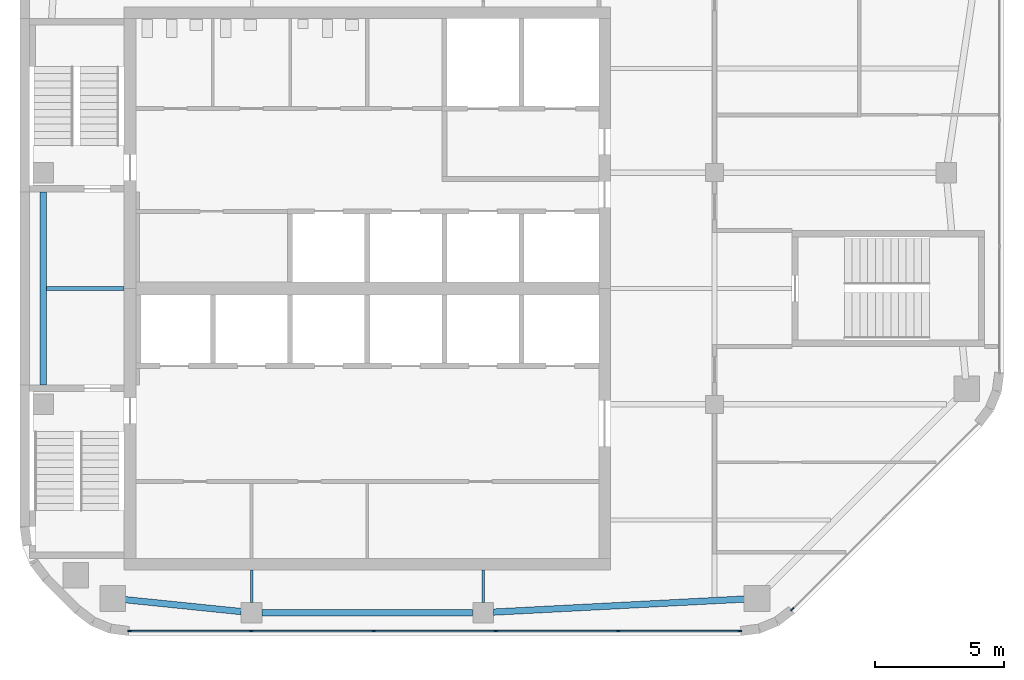
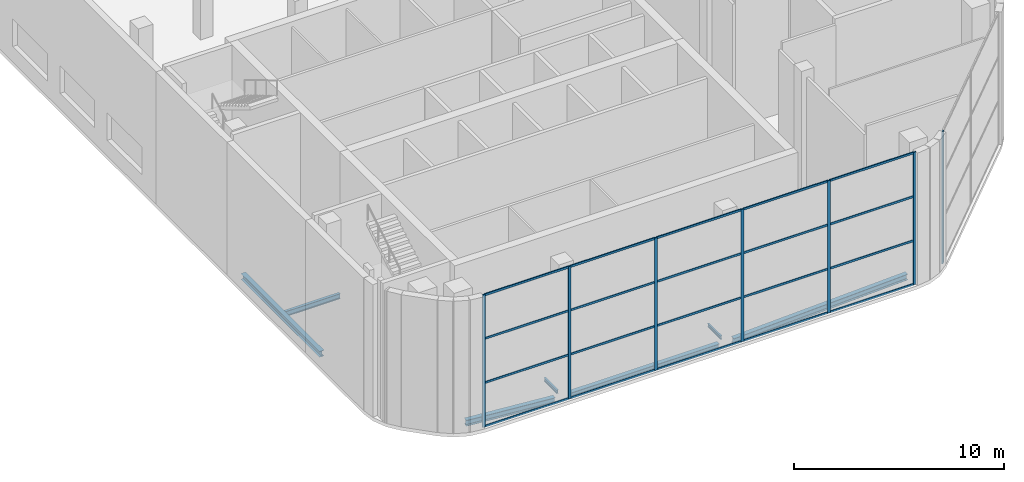
# One storey, part 2 of 12: 27 members, 7 beams, 2 elements without a shape of their own.
"""IFC4 building model written with IfcOpenShell, lengths in metres."""

from ifc_helpers import new_model, si_unit, direction, frame, origin, origin_2d, place, context, subcontext, project, spatial, rectangle, i_section, extrude, material, material_profile, profile_set, type_object, element, aggregate, save


model = new_model("IFC4")

# Units and contexts
model_context = context("Model", 3, precision=1e-05, world=origin(), true_north=direction((0.0, 1.0)))
body_context = subcontext(model_context, "Body", "Model", "MODEL_VIEW")
ifc_project = project(units=[si_unit("LENGTHUNIT", "METRE"), si_unit("AREAUNIT", "SQUARE_METRE"), si_unit("VOLUMEUNIT", "CUBIC_METRE"), si_unit("PLANEANGLEUNIT", "RADIAN"), si_unit("MASSUNIT", "GRAM", prefix="KILO")], contexts=[model_context])

# Site, building, storey
site_placement = place(None, origin())
site = spatial("IfcSite", under=ifc_project, at=site_placement, CompositionType="ELEMENT")
building_placement = place(site_placement, origin())
building = spatial("IfcBuilding", under=site, at=building_placement, Name="Cinnabar Reach Civic Tower", CompositionType="ELEMENT")
storey_placement = place(building_placement, frame((0.0, 0.0, 283.0)))
storey = spatial("IfcBuildingStorey", under=building, at=storey_placement, Name="L68", CompositionType="ELEMENT", Elevation=283.0)

# Beams
ifc_material_1 = material(Name="Steel Q355B", Category="steel")
ifc_material_profile_1 = material_profile(ifc_material_1, i_section(OverallWidth=0.25, OverallDepth=0.34, WebThickness=0.009, FlangeThickness=0.014, FilletRadius=0.013, at=origin_2d()), Name="HM340x250x9x14")
ifc_profile_set_1 = profile_set([ifc_material_profile_1], Name="Steel Q355B")
beam_type_1 = type_object("IfcBeamType", Name="HM340x250x9x14 beam R 180", PredefinedType="BEAM", material=ifc_profile_set_1)
beam_1_placement = place(storey_placement, frame((3.9839, 19.414, -0.37), z_axis=(0.994791084875, -0.101934770579, 0.0), x_axis=(0.101934770579, 0.994791084875, 0.0)))
element("IfcBeam", 1, at=beam_1_placement, inside=storey, type_object=beam_type_1, Name="Edge beam T1 L68 1", PredefinedType="BEAM", context=body_context, shape_type="SweptSolid", body=[
    extrude(i_section(OverallWidth=0.25, OverallDepth=0.34, WebThickness=0.009, FlangeThickness=0.014, FilletRadius=0.013, at=origin_2d()), origin(), (0.0, 0.0, 1.0), 4.6383),
])
beam_2_placement = place(storey_placement, frame((9.402, 18.9, -0.37), z_axis=(1.0, 0.0, 0.0), x_axis=(0.0, 1.0, 0.0)))
element("IfcBeam", 2, at=beam_2_placement, inside=storey, type_object=beam_type_1, Name="Edge beam T1 L68 2", PredefinedType="BEAM", context=body_context, shape_type="SweptSolid", body=[
    extrude(i_section(OverallWidth=0.25, OverallDepth=0.34, WebThickness=0.009, FlangeThickness=0.014, FilletRadius=0.013, at=origin_2d()), origin(), (0.0, 0.0, 1.0), 8.196),
])
beam_3_placement = place(storey_placement, frame((18.402, 18.9209, -0.37), z_axis=(0.998653533726, 0.051876001934, 0.0), x_axis=(-0.051876001934, 0.998653533726, 0.0)))
element("IfcBeam", 3, at=beam_3_placement, inside=storey, type_object=beam_type_1, Name="Edge beam T1 L68 3", PredefinedType="BEAM", context=body_context, shape_type="SweptSolid", body=[
    extrude(i_section(OverallWidth=0.25, OverallDepth=0.34, WebThickness=0.009, FlangeThickness=0.014, FilletRadius=0.013, at=origin_2d()), origin(), (0.0, 0.0, 1.0), 9.8774),
])
beam_4_placement = place(storey_placement, frame((0.9, 35.248, -0.37), z_axis=(0.0, -1.0, 0.0), x_axis=(1.0, 0.0, 0.0)))
element("IfcBeam", 4, at=beam_4_placement, inside=storey, type_object=beam_type_1, Name="Edge beam T1 L68 18", PredefinedType="BEAM", context=body_context, shape_type="SweptSolid", body=[
    extrude(i_section(OverallWidth=0.25, OverallDepth=0.34, WebThickness=0.009, FlangeThickness=0.014, FilletRadius=0.013, at=origin_2d()), origin(), (0.0, 0.0, 1.0), 7.496),
])
ifc_material_profile_2 = material_profile(ifc_material_1, i_section(OverallWidth=0.099, OverallDepth=0.198, WebThickness=0.0045, FlangeThickness=0.007, FilletRadius=0.013, at=origin_2d()), Name="HN200x100x5.5x8")
ifc_profile_set_2 = profile_set([ifc_material_profile_2], Name="Steel Q355B")
beam_type_2 = type_object("IfcBeamType", Name="HN200x100x5.5x8 beam R 180", PredefinedType="BEAM", material=ifc_profile_set_2)
for number, where, z_axis, x_axis, name in (
    (5, (9.0, 19.302, -0.299), (0.0, 1.0, 0.0), (-1.0, 0.0, 0.0), "Girder T1 L68 1"),
    (6, (18.0, 19.302, -0.299), (0.0, 1.0, 0.0), (-1.0, 0.0, 0.0), "Girder T1 L68 5"),
):
    element("IfcBeam", number, at=place(storey_placement, frame(where, z_axis=z_axis, x_axis=x_axis)), inside=storey, type_object=beam_type_2, Name=name, PredefinedType="BEAM", context=body_context, shape_type="SweptSolid", body=[
        extrude(i_section(OverallWidth=0.099, OverallDepth=0.198, WebThickness=0.0045, FlangeThickness=0.007, FilletRadius=0.013, at=origin_2d()), origin(), (0.0, 0.0, 1.0), 1.246),
    ])
ifc_material_profile_3 = material_profile(ifc_material_1, i_section(OverallWidth=0.15, OverallDepth=0.3, WebThickness=0.0065, FlangeThickness=0.009, FilletRadius=0.013, at=origin_2d()), Name="HN300x150x6.5x9")
ifc_profile_set_3 = profile_set([ifc_material_profile_3], Name="Steel Q355B")
beam_type_3 = type_object("IfcBeamType", Name="HN300x150x6.5x9 beam R 180", PredefinedType="BEAM", material=ifc_profile_set_3)
beam_5_placement = place(storey_placement, frame((1.027, 31.5, -0.35), z_axis=(1.0, 0.0, 0.0), x_axis=(0.0, 1.0, 0.0)))
element("IfcBeam", 7, at=beam_5_placement, inside=storey, type_object=beam_type_3, Name="Secondary beam T1 L68 3", PredefinedType="BEAM", context=body_context, shape_type="SweptSolid", body=[
    extrude(i_section(OverallWidth=0.15, OverallDepth=0.3, WebThickness=0.0065, FlangeThickness=0.009, FilletRadius=0.013, at=origin_2d()), origin(), (0.0, 0.0, 1.0), 3.021),
])

# Curtain wall, members
ifc_material_2 = material(Name="Aluminium and clear double glazing", Category="aluminium")
curtain_wall_type = type_object("IfcCurtainWallType", Name="Observation deck curtain wall", PredefinedType="NOTDEFINED", material=ifc_material_2)
curtain_wall_1_placement = place(storey_placement, origin())
curtain_wall_1 = element("IfcCurtainWall", 8, at=curtain_wall_1_placement, inside=storey, type_object=curtain_wall_type, Name="Observation deck 1", PredefinedType="NOTDEFINED")
ifc_material_3 = material(Name="Aluminium", Category="aluminium")
ifc_material_profile_4 = material_profile(ifc_material_3, rectangle(XDim=0.06, YDim=0.16, at=origin_2d()), Name="Observation deck mullion")
ifc_profile_set_4 = profile_set([ifc_material_profile_4], Name="Aluminium")
member_type_1 = type_object("IfcMemberType", Name="Observation deck mullion", PredefinedType="MULLION", material=ifc_profile_set_4)
member_1_placement = place(storey_placement, frame((4.2726, 18.18, 0.0), z_axis=(0.0, 0.0, 1.0), x_axis=(0.0, 1.0, 0.0)))
member_1 = element("IfcMember", 9, at=member_1_placement, type_object=member_type_1, Name="CW-T1OBS-1 mullion 1", PredefinedType="MULLION", context=body_context, shape_type="SweptSolid", body=[
    extrude(rectangle(XDim=0.06, YDim=0.16, at=origin_2d()), origin(), (0.0, 0.0, 1.0), 7.7),
])
member_2_placement = place(storey_placement, frame((8.9956, 18.18, 0.0), z_axis=(0.0, 0.0, 1.0), x_axis=(0.0, 1.0, 0.0)))
member_2 = element("IfcMember", 10, at=member_2_placement, type_object=member_type_1, Name="CW-T1OBS-1 mullion 2", PredefinedType="MULLION", context=body_context, shape_type="SweptSolid", body=[
    extrude(rectangle(XDim=0.06, YDim=0.16, at=origin_2d()), origin(), (0.0, 0.0, 1.0), 7.7),
])
member_3_placement = place(storey_placement, frame((13.7485, 18.18, 0.0), z_axis=(0.0, 0.0, 1.0), x_axis=(0.0, 1.0, 0.0)))
member_3 = element("IfcMember", 11, at=member_3_placement, type_object=member_type_1, Name="CW-T1OBS-1 mullion 3", PredefinedType="MULLION", context=body_context, shape_type="SweptSolid", body=[
    extrude(rectangle(XDim=0.06, YDim=0.16, at=origin_2d()), origin(), (0.0, 0.0, 1.0), 7.7),
])
member_4_placement = place(storey_placement, frame((18.5015, 18.18, 0.0), z_axis=(0.0, 0.0, 1.0), x_axis=(0.0, 1.0, 0.0)))
member_4 = element("IfcMember", 12, at=member_4_placement, type_object=member_type_1, Name="CW-T1OBS-1 mullion 4", PredefinedType="MULLION", context=body_context, shape_type="SweptSolid", body=[
    extrude(rectangle(XDim=0.06, YDim=0.16, at=origin_2d()), origin(), (0.0, 0.0, 1.0), 7.7),
])
member_5_placement = place(storey_placement, frame((23.2544, 18.18, 0.0), z_axis=(0.0, 0.0, 1.0), x_axis=(0.0, 1.0, 0.0)))
member_5 = element("IfcMember", 13, at=member_5_placement, type_object=member_type_1, Name="CW-T1OBS-1 mullion 5", PredefinedType="MULLION", context=body_context, shape_type="SweptSolid", body=[
    extrude(rectangle(XDim=0.06, YDim=0.16, at=origin_2d()), origin(), (0.0, 0.0, 1.0), 7.7),
])
member_6_placement = place(storey_placement, frame((27.9774, 18.18, 0.0), z_axis=(0.0, 0.0, 1.0), x_axis=(0.0, 1.0, 0.0)))
member_6 = element("IfcMember", 14, at=member_6_placement, type_object=member_type_1, Name="CW-T1OBS-1 mullion 6", PredefinedType="MULLION", context=body_context, shape_type="SweptSolid", body=[
    extrude(rectangle(XDim=0.06, YDim=0.16, at=origin_2d()), origin(), (0.0, 0.0, 1.0), 7.7),
])

# Curtain wall, member
curtain_wall_2_placement = place(storey_placement, origin())
curtain_wall_2 = element("IfcCurtainWall", 15, at=curtain_wall_2_placement, inside=storey, type_object=curtain_wall_type, Name="Observation deck 2", PredefinedType="NOTDEFINED")
member_7_placement = place(storey_placement, frame((30.0226, 19.0272, 0.0), z_axis=(0.0, 0.0, 1.0), x_axis=(-0.707106781187, 0.707106781187, 0.0)))
member_7 = element("IfcMember", 16, at=member_7_placement, type_object=member_type_1, Name="CW-T1OBS-2 mullion 1", PredefinedType="MULLION", context=body_context, shape_type="SweptSolid", body=[
    extrude(rectangle(XDim=0.06, YDim=0.16, at=origin_2d()), origin(), (0.0, 0.0, 1.0), 7.7),
])
aggregate(curtain_wall_2, [member_7])

# Member
ifc_material_profile_5 = material_profile(ifc_material_3, rectangle(XDim=0.06, YDim=0.12, at=origin_2d()), Name="Observation deck transom")
ifc_profile_set_5 = profile_set([ifc_material_profile_5], Name="Aluminium")
member_type_2 = type_object("IfcMemberType", Name="Observation deck transom", PredefinedType="USERDEFINED", material=ifc_profile_set_5)
member_8_placement = place(storey_placement, frame((4.3026, 18.18, 0.03), z_axis=(1.0, 0.0, 0.0), x_axis=(0.0, 1.0, 0.0)))
member_8 = element("IfcMember", 17, at=member_8_placement, type_object=member_type_2, Name="CW-T1OBS-1 transom 1.1", ObjectType="TRANSOM", PredefinedType="USERDEFINED", context=body_context, shape_type="SweptSolid", body=[
    extrude(rectangle(XDim=0.06, YDim=0.12, at=origin_2d()), origin(), (0.0, 0.0, 1.0), 4.663),
])

member_9_placement = place(storey_placement, frame((4.3026, 18.18, 2.5667), z_axis=(1.0, 0.0, 0.0), x_axis=(0.0, 1.0, 0.0)))
member_9 = element("IfcMember", 18, at=member_9_placement, type_object=member_type_2, Name="CW-T1OBS-1 transom 1.2", ObjectType="TRANSOM", PredefinedType="USERDEFINED", context=body_context, shape_type="SweptSolid", body=[
    extrude(rectangle(XDim=0.06, YDim=0.12, at=origin_2d()), origin(), (0.0, 0.0, 1.0), 4.663),
])

member_10_placement = place(storey_placement, frame((4.3026, 18.18, 5.1333), z_axis=(1.0, 0.0, 0.0), x_axis=(0.0, 1.0, 0.0)))
member_10 = element("IfcMember", 19, at=member_10_placement, type_object=member_type_2, Name="CW-T1OBS-1 transom 1.3", ObjectType="TRANSOM", PredefinedType="USERDEFINED", context=body_context, shape_type="SweptSolid", body=[
    extrude(rectangle(XDim=0.06, YDim=0.12, at=origin_2d()), origin(), (0.0, 0.0, 1.0), 4.663),
])

member_11_placement = place(storey_placement, frame((4.3026, 18.18, 7.67), z_axis=(1.0, 0.0, 0.0), x_axis=(0.0, 1.0, 0.0)))
member_11 = element("IfcMember", 20, at=member_11_placement, type_object=member_type_2, Name="CW-T1OBS-1 transom 1.4", ObjectType="TRANSOM", PredefinedType="USERDEFINED", context=body_context, shape_type="SweptSolid", body=[
    extrude(rectangle(XDim=0.06, YDim=0.12, at=origin_2d()), origin(), (0.0, 0.0, 1.0), 4.663),
])

member_12_placement = place(storey_placement, frame((9.0256, 18.18, 0.03), z_axis=(1.0, 0.0, 0.0), x_axis=(0.0, 1.0, 0.0)))
member_12 = element("IfcMember", 21, at=member_12_placement, type_object=member_type_2, Name="CW-T1OBS-1 transom 2.1", ObjectType="TRANSOM", PredefinedType="USERDEFINED", context=body_context, shape_type="SweptSolid", body=[
    extrude(rectangle(XDim=0.06, YDim=0.12, at=origin_2d()), origin(), (0.0, 0.0, 1.0), 4.6929),
])

member_13_placement = place(storey_placement, frame((9.0256, 18.18, 2.5667), z_axis=(1.0, 0.0, 0.0), x_axis=(0.0, 1.0, 0.0)))
member_13 = element("IfcMember", 22, at=member_13_placement, type_object=member_type_2, Name="CW-T1OBS-1 transom 2.2", ObjectType="TRANSOM", PredefinedType="USERDEFINED", context=body_context, shape_type="SweptSolid", body=[
    extrude(rectangle(XDim=0.06, YDim=0.12, at=origin_2d()), origin(), (0.0, 0.0, 1.0), 4.6929),
])

member_14_placement = place(storey_placement, frame((9.0256, 18.18, 5.1333), z_axis=(1.0, 0.0, 0.0), x_axis=(0.0, 1.0, 0.0)))
member_14 = element("IfcMember", 23, at=member_14_placement, type_object=member_type_2, Name="CW-T1OBS-1 transom 2.3", ObjectType="TRANSOM", PredefinedType="USERDEFINED", context=body_context, shape_type="SweptSolid", body=[
    extrude(rectangle(XDim=0.06, YDim=0.12, at=origin_2d()), origin(), (0.0, 0.0, 1.0), 4.6929),
])

member_15_placement = place(storey_placement, frame((9.0256, 18.18, 7.67), z_axis=(1.0, 0.0, 0.0), x_axis=(0.0, 1.0, 0.0)))
member_15 = element("IfcMember", 24, at=member_15_placement, type_object=member_type_2, Name="CW-T1OBS-1 transom 2.4", ObjectType="TRANSOM", PredefinedType="USERDEFINED", context=body_context, shape_type="SweptSolid", body=[
    extrude(rectangle(XDim=0.06, YDim=0.12, at=origin_2d()), origin(), (0.0, 0.0, 1.0), 4.6929),
])

member_16_placement = place(storey_placement, frame((13.7785, 18.18, 0.03), z_axis=(1.0, 0.0, 0.0), x_axis=(0.0, 1.0, 0.0)))
member_16 = element("IfcMember", 25, at=member_16_placement, type_object=member_type_2, Name="CW-T1OBS-1 transom 3.1", ObjectType="TRANSOM", PredefinedType="USERDEFINED", context=body_context, shape_type="SweptSolid", body=[
    extrude(rectangle(XDim=0.06, YDim=0.12, at=origin_2d()), origin(), (0.0, 0.0, 1.0), 4.693),
])

member_17_placement = place(storey_placement, frame((13.7785, 18.18, 2.5667), z_axis=(1.0, 0.0, 0.0), x_axis=(0.0, 1.0, 0.0)))
member_17 = element("IfcMember", 26, at=member_17_placement, type_object=member_type_2, Name="CW-T1OBS-1 transom 3.2", ObjectType="TRANSOM", PredefinedType="USERDEFINED", context=body_context, shape_type="SweptSolid", body=[
    extrude(rectangle(XDim=0.06, YDim=0.12, at=origin_2d()), origin(), (0.0, 0.0, 1.0), 4.693),
])

member_18_placement = place(storey_placement, frame((13.7785, 18.18, 5.1333), z_axis=(1.0, 0.0, 0.0), x_axis=(0.0, 1.0, 0.0)))
member_18 = element("IfcMember", 27, at=member_18_placement, type_object=member_type_2, Name="CW-T1OBS-1 transom 3.3", ObjectType="TRANSOM", PredefinedType="USERDEFINED", context=body_context, shape_type="SweptSolid", body=[
    extrude(rectangle(XDim=0.06, YDim=0.12, at=origin_2d()), origin(), (0.0, 0.0, 1.0), 4.693),
])

member_19_placement = place(storey_placement, frame((13.7785, 18.18, 7.67), z_axis=(1.0, 0.0, 0.0), x_axis=(0.0, 1.0, 0.0)))
member_19 = element("IfcMember", 28, at=member_19_placement, type_object=member_type_2, Name="CW-T1OBS-1 transom 3.4", ObjectType="TRANSOM", PredefinedType="USERDEFINED", context=body_context, shape_type="SweptSolid", body=[
    extrude(rectangle(XDim=0.06, YDim=0.12, at=origin_2d()), origin(), (0.0, 0.0, 1.0), 4.693),
])

member_20_placement = place(storey_placement, frame((18.5315, 18.18, 0.03), z_axis=(1.0, 0.0, 0.0), x_axis=(0.0, 1.0, 0.0)))
member_20 = element("IfcMember", 29, at=member_20_placement, type_object=member_type_2, Name="CW-T1OBS-1 transom 4.1", ObjectType="TRANSOM", PredefinedType="USERDEFINED", context=body_context, shape_type="SweptSolid", body=[
    extrude(rectangle(XDim=0.06, YDim=0.12, at=origin_2d()), origin(), (0.0, 0.0, 1.0), 4.6929),
])

member_21_placement = place(storey_placement, frame((18.5315, 18.18, 2.5667), z_axis=(1.0, 0.0, 0.0), x_axis=(0.0, 1.0, 0.0)))
member_21 = element("IfcMember", 30, at=member_21_placement, type_object=member_type_2, Name="CW-T1OBS-1 transom 4.2", ObjectType="TRANSOM", PredefinedType="USERDEFINED", context=body_context, shape_type="SweptSolid", body=[
    extrude(rectangle(XDim=0.06, YDim=0.12, at=origin_2d()), origin(), (0.0, 0.0, 1.0), 4.6929),
])

member_22_placement = place(storey_placement, frame((18.5315, 18.18, 5.1333), z_axis=(1.0, 0.0, 0.0), x_axis=(0.0, 1.0, 0.0)))
member_22 = element("IfcMember", 31, at=member_22_placement, type_object=member_type_2, Name="CW-T1OBS-1 transom 4.3", ObjectType="TRANSOM", PredefinedType="USERDEFINED", context=body_context, shape_type="SweptSolid", body=[
    extrude(rectangle(XDim=0.06, YDim=0.12, at=origin_2d()), origin(), (0.0, 0.0, 1.0), 4.6929),
])

member_23_placement = place(storey_placement, frame((18.5315, 18.18, 7.67), z_axis=(1.0, 0.0, 0.0), x_axis=(0.0, 1.0, 0.0)))
member_23 = element("IfcMember", 32, at=member_23_placement, type_object=member_type_2, Name="CW-T1OBS-1 transom 4.4", ObjectType="TRANSOM", PredefinedType="USERDEFINED", context=body_context, shape_type="SweptSolid", body=[
    extrude(rectangle(XDim=0.06, YDim=0.12, at=origin_2d()), origin(), (0.0, 0.0, 1.0), 4.6929),
])

member_24_placement = place(storey_placement, frame((23.2844, 18.18, 0.03), z_axis=(1.0, 0.0, 0.0), x_axis=(0.0, 1.0, 0.0)))
member_24 = element("IfcMember", 33, at=member_24_placement, type_object=member_type_2, Name="CW-T1OBS-1 transom 5.1", ObjectType="TRANSOM", PredefinedType="USERDEFINED", context=body_context, shape_type="SweptSolid", body=[
    extrude(rectangle(XDim=0.06, YDim=0.12, at=origin_2d()), origin(), (0.0, 0.0, 1.0), 4.663),
])

member_25_placement = place(storey_placement, frame((23.2844, 18.18, 2.5667), z_axis=(1.0, 0.0, 0.0), x_axis=(0.0, 1.0, 0.0)))
member_25 = element("IfcMember", 34, at=member_25_placement, type_object=member_type_2, Name="CW-T1OBS-1 transom 5.2", ObjectType="TRANSOM", PredefinedType="USERDEFINED", context=body_context, shape_type="SweptSolid", body=[
    extrude(rectangle(XDim=0.06, YDim=0.12, at=origin_2d()), origin(), (0.0, 0.0, 1.0), 4.663),
])

member_26_placement = place(storey_placement, frame((23.2844, 18.18, 5.1333), z_axis=(1.0, 0.0, 0.0), x_axis=(0.0, 1.0, 0.0)))
member_26 = element("IfcMember", 35, at=member_26_placement, type_object=member_type_2, Name="CW-T1OBS-1 transom 5.3", ObjectType="TRANSOM", PredefinedType="USERDEFINED", context=body_context, shape_type="SweptSolid", body=[
    extrude(rectangle(XDim=0.06, YDim=0.12, at=origin_2d()), origin(), (0.0, 0.0, 1.0), 4.663),
])

member_27_placement = place(storey_placement, frame((23.2844, 18.18, 7.67), z_axis=(1.0, 0.0, 0.0), x_axis=(0.0, 1.0, 0.0)))
member_27 = element("IfcMember", 36, at=member_27_placement, type_object=member_type_2, Name="CW-T1OBS-1 transom 5.4", ObjectType="TRANSOM", PredefinedType="USERDEFINED", context=body_context, shape_type="SweptSolid", body=[
    extrude(rectangle(XDim=0.06, YDim=0.12, at=origin_2d()), origin(), (0.0, 0.0, 1.0), 4.663),
])

aggregate(curtain_wall_1, [member_1, member_2, member_3, member_4, member_5, member_6, member_8, member_9, member_10, member_11, member_12, member_13, member_14, member_15, member_16, member_17, member_18, member_19, member_20, member_21, member_22, member_23, member_24, member_25, member_26, member_27])

save(model, "model.ifc")
